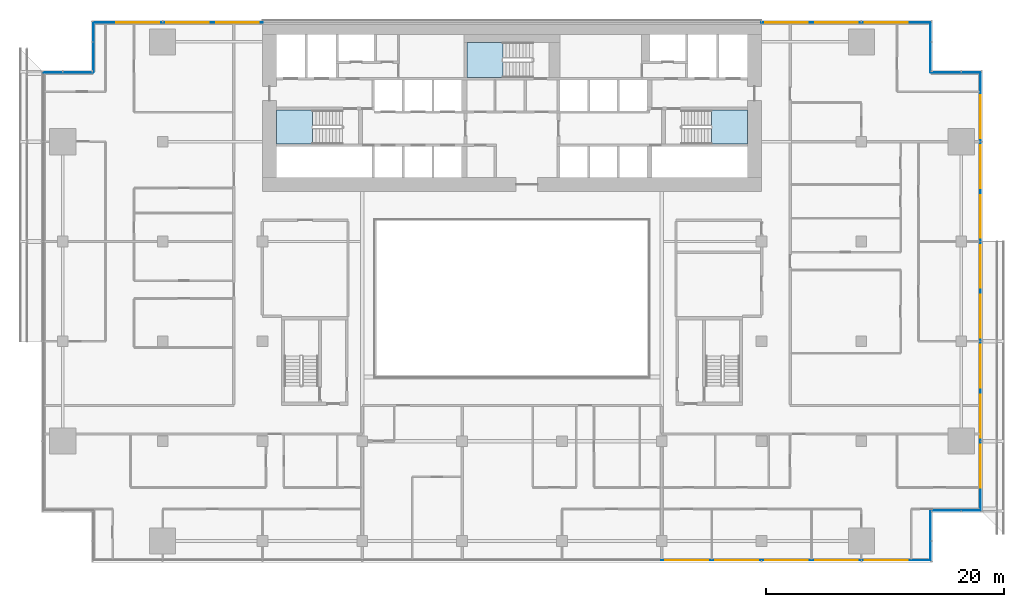
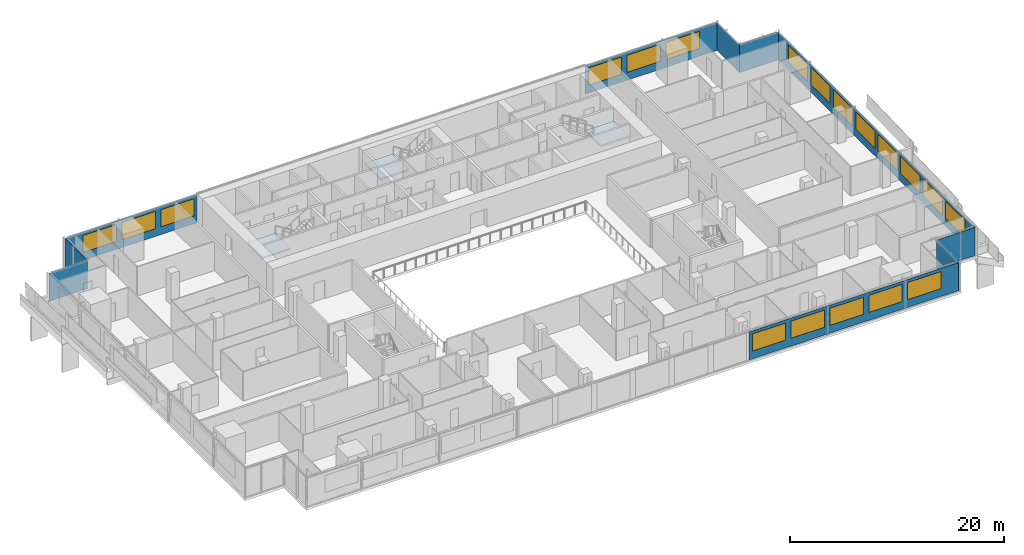
# One storey, part 15 of 25: 19 windows, 10 plates, 3 slabs, 19 openings, 12 elements without a shape of their own.
"""IFC4 building model written with IfcOpenShell, lengths in metres."""

import ifcopenshell
import ifcopenshell.guid

model = None  # the IFC model being written
_history = None  # IfcOwnerHistory: only IFC2X3 demands one
_inside = {}  # id of a spatial element -> (the spatial element, [elements in it])
_under = {}  # id of a project, library or spatial element -> (it, [spatial elements below it])
_declared = {}  # id of a project -> (the project, [libraries it declares])
_typed = {}  # id of a type object -> (the type object, [elements of that type])
_made_of = {}  # id of a material, layer set ... -> (it, [elements and type objects made of it])


def new_model(schema):
    """Start an empty IFC model of exactly this schema.

    Asked for "IFC4X3", IfcOpenShell would pick the latest addendum, in which some entities
    have other attributes; the version numbers below select the first issue.
    IFC2X3 requires an IfcOwnerHistory on every rooted entity: one is made here for all.
    """
    global model, _history
    if schema == "IFC4X3":
        model = ifcopenshell.file(schema_version=(4, 3, 0, 0))
    else:
        model = ifcopenshell.file(schema=schema)
    _inside.clear()
    _under.clear()
    _declared.clear()
    _typed.clear()
    _made_of.clear()
    _history = None
    if model.schema == "IFC2X3":
        org = make("IfcOrganization", Name="unknown")
        user = make(
            "IfcPersonAndOrganization",
            ThePerson=make("IfcPerson", FamilyName="unknown"),
            TheOrganization=org,
        )
        app = make(
            "IfcApplication",
            ApplicationDeveloper=org,
            Version="unknown",
            ApplicationFullName="unknown",
            ApplicationIdentifier="unknown",
        )
        _history = make(
            "IfcOwnerHistory",
            OwningUser=user,
            OwningApplication=app,
            ChangeAction="ADDED",
            CreationDate=0,
        )
    return model


def make(cls, **values):
    """One entity of the class cls with the attributes given. An attribute that is None is left unset."""
    return model.create_entity(
        cls, **{name: value for name, value in values.items() if value is not None}
    )


def rooted(cls, **values):
    """An entity with a GlobalId (a new one), such as an element, a storey or a relation."""
    return make(cls, GlobalId=ifcopenshell.guid.new(), OwnerHistory=_history, **values)


def si_unit(unit_type, name, prefix=None):
    """IfcSIUnit, for example si_unit("LENGTHUNIT", "METRE", prefix="MILLI")."""
    return make("IfcSIUnit", UnitType=unit_type, Prefix=prefix, Name=name)


def assignment(units):
    """IfcUnitAssignment: the units of a project."""
    return None if units is None else make("IfcUnitAssignment", Units=units)


def point(xyz):
    """IfcCartesianPoint."""
    return None if xyz is None else make("IfcCartesianPoint", Coordinates=xyz)


def direction(xyz):
    """IfcDirection."""
    return None if xyz is None else make("IfcDirection", DirectionRatios=xyz)


def frame(location, z_axis=None, x_axis=None):
    """IfcAxis2Placement3D, a coordinate frame: its origin and axes. An axis left out is left unset."""
    return make(
        "IfcAxis2Placement3D",
        Location=point(location),
        Axis=direction(z_axis),
        RefDirection=direction(x_axis),
    )


def frame_2d(location, x_axis=None):
    """IfcAxis2Placement2D, a coordinate frame in the plane: its origin and x axis."""
    return make(
        "IfcAxis2Placement2D", Location=point(location), RefDirection=direction(x_axis)
    )


def origin():
    """The frame at (0, 0, 0) with its axes left unset."""
    return frame((0.0, 0.0, 0.0))


def place(relative_to, where):
    """IfcLocalPlacement: puts the frame where relative to a parent placement (None: the world)."""
    return make(
        "IfcLocalPlacement", PlacementRelTo=relative_to, RelativePlacement=where
    )


def context(
    kind, dimensions, precision=None, world=None, true_north=None, identifier=None
):
    """IfcGeometricRepresentationContext, for example the 3D "Model" context."""
    return make(
        "IfcGeometricRepresentationContext",
        ContextIdentifier=identifier,
        ContextType=kind,
        CoordinateSpaceDimension=dimensions,
        Precision=precision,
        WorldCoordinateSystem=world,
        TrueNorth=true_north,
    )


def subcontext(parent, identifier, kind, view, scale=None):
    """IfcGeometricRepresentationSubContext, for example "Body" below "Model"."""
    return make(
        "IfcGeometricRepresentationSubContext",
        ContextIdentifier=identifier,
        ContextType=kind,
        ParentContext=parent,
        TargetScale=scale,
        TargetView=view,
    )


def project(units=None, contexts=None):
    """IfcProject with its units and contexts."""
    return rooted(
        "IfcProject",
        Name="project",
        RepresentationContexts=contexts,
        UnitsInContext=assignment(units),
    )


def spatial(cls, under=None, at=None, **own):
    """A site, building, storey or space (cls), placed at a placement, below another one or the project."""
    s = rooted(cls, ObjectPlacement=at, **own)
    if under is not None:
        _under.setdefault(under.id(), (under, []))[1].append(s)
    return s


def polyline(points):
    """IfcPolyline through the points."""
    return make("IfcPolyline", Points=[point(p) for p in points])


def profile(cls, at=None, kind="AREA", **sizes):
    """A parametric profile (cls). Its sizes go by their IFC names, for example OverallWidth=200.0."""
    return make(cls, ProfileType=kind, Position=at, **sizes)


def rectangle(**sizes):
    """IfcRectangleProfileDef."""
    return profile("IfcRectangleProfileDef", **sizes)


def outline(outer, holes=None, kind="AREA"):
    """IfcArbitraryClosedProfileDef: a profile drawn as a closed curve; with holes, ...WithVoids."""
    if holes is None:
        return make("IfcArbitraryClosedProfileDef", ProfileType=kind, OuterCurve=outer)
    return make(
        "IfcArbitraryProfileDefWithVoids",
        ProfileType=kind,
        OuterCurve=outer,
        InnerCurves=holes,
    )


def extrude(swept, where, along, depth):
    """IfcExtrudedAreaSolid: the profile swept, set in the frame where, extruded along a direction by depth."""
    return make(
        "IfcExtrudedAreaSolid",
        SweptArea=swept,
        Position=where,
        ExtrudedDirection=direction(along),
        Depth=depth,
    )


def shape(context_of_items, identifier, shape_type, items):
    """IfcShapeRepresentation: the items that make up one representation, for example the "Body"."""
    return make(
        "IfcShapeRepresentation",
        ContextOfItems=context_of_items,
        RepresentationIdentifier=identifier,
        RepresentationType=shape_type,
        Items=items,
    )


def material(Name=None, Category=None):
    """IfcMaterial."""
    return make("IfcMaterial", Name=Name, Category=Category)


def layer(
    of_material, thickness, ventilated=None, Name=None, Category=None, Priority=None
):
    """IfcMaterialLayer: one layer of a wall or slab, of a material (None: an air gap)."""
    return make(
        "IfcMaterialLayer",
        Material=of_material,
        LayerThickness=thickness,
        IsVentilated=ventilated,
        Name=Name,
        Category=Category,
        Priority=Priority,
    )


def layer_set(layers, Name=None):
    """IfcMaterialLayerSet."""
    return make("IfcMaterialLayerSet", MaterialLayers=layers, LayerSetName=Name)


def made_of(thing, what):
    """Note that an element or type object is made of a material, layer set ...; save() writes the relation."""
    if what is not None:
        _made_of.setdefault(what.id(), (what, []))[1].append(thing)
    return thing


def type_object(cls, material=None, **own):
    """A type object (cls), such as IfcWallType, which elements share."""
    return made_of(rooted(cls, **own), material)


def element(
    cls,
    number,
    at=None,
    inside=None,
    cuts=None,
    type_object=None,
    material=None,
    context=None,
    identifier="Body",
    shape_type=None,
    held_by="IfcProductDefinitionShape",
    body=None,
    shapes=None,
    **own,
):
    """One element of the class cls, such as IfcWall. Its Tag is "e" and its number.

    at: its placement. inside: the storey or other place that contains it. cuts: it is an
    opening in that element (IfcRelVoidsElement). A single representation is given by context,
    identifier, shape_type and body (its items); several are given by shapes. held_by: the class
    of the entity that holds the representations. save() writes the other relations.
    """
    e = rooted(cls, Tag="e%d" % number, ObjectPlacement=at, **own)
    if body is not None:
        shapes = [shape(context, identifier, shape_type, body)]
    if shapes is not None:
        e.Representation = make(held_by, Representations=shapes)
    if inside is not None:
        _inside.setdefault(inside.id(), (inside, []))[1].append(e)
    if cuts is not None:
        rooted(
            "IfcRelVoidsElement", RelatingBuildingElement=cuts, RelatedOpeningElement=e
        )
    if type_object is not None:
        _typed.setdefault(type_object.id(), (type_object, []))[1].append(e)
    return made_of(e, material)


def fill(opening, filler):
    """IfcRelFillsElement: the door or window that sits in an opening."""
    return rooted(
        "IfcRelFillsElement",
        RelatingOpeningElement=opening,
        RelatedBuildingElement=filler,
    )


def aggregate(whole, parts):
    """IfcRelAggregates: a whole, such as a stair, and the parts it consists of."""
    return rooted("IfcRelAggregates", RelatingObject=whole, RelatedObjects=parts)


def save(model, path):
    """Write the relations noted so far, then the file.

    IfcRelAggregates (storeys below a building ...), IfcRelContainedInSpatialStructure (elements
    in a storey), IfcRelDefinesByType, IfcRelAssociatesMaterial and IfcRelDeclares: one each for
    every whole, place, type object, material and project.
    """
    for whole, parts in _under.values():
        aggregate(whole, parts)
    for where, things in _inside.values():
        rooted(
            "IfcRelContainedInSpatialStructure",
            RelatedElements=things,
            RelatingStructure=where,
        )
    for kind, things in _typed.values():
        rooted("IfcRelDefinesByType", RelatedObjects=things, RelatingType=kind)
    for what, things in _made_of.values():
        rooted("IfcRelAssociatesMaterial", RelatedObjects=things, RelatingMaterial=what)
    for by, libraries in _declared.values():
        rooted("IfcRelDeclares", RelatingContext=by, RelatedDefinitions=libraries)
    model.write(path)


model = new_model("IFC4")

# Units and contexts
model_context = context("Model", 3, precision=1e-05, world=origin(), true_north=direction((0.0, 1.0)))
body_context = subcontext(model_context, "Body", "Model", "MODEL_VIEW")
ifc_project = project(units=[si_unit("LENGTHUNIT", "METRE"), si_unit("AREAUNIT", "SQUARE_METRE"), si_unit("VOLUMEUNIT", "CUBIC_METRE"), si_unit("PLANEANGLEUNIT", "RADIAN"), si_unit("MASSUNIT", "GRAM", prefix="KILO")], contexts=[model_context])

# Site, building, storey
site_placement = place(None, origin())
site = spatial("IfcSite", under=ifc_project, at=site_placement, CompositionType="ELEMENT")
building_placement = place(site_placement, origin())
building = spatial("IfcBuilding", under=site, at=building_placement, Name="Saffron Gate Tower", CompositionType="ELEMENT")
storey_placement = place(building_placement, frame((0.0, 0.0, 73.199951171875)))
storey = spatial("IfcBuildingStorey", under=building, at=storey_placement, Name="L17", CompositionType="ELEMENT", Elevation=73.199951171875)

# Curtain wall, plate, openings, windows
ifc_material_1 = material(Name="Aluminium, bronze anodised", Category="aluminium")
curtain_wall_type_1 = type_object("IfcCurtainWallType", Name="CWS1 curtain wall front facade", PredefinedType="NOTDEFINED", material=ifc_material_1)
curtain_wall_1_placement = place(storey_placement, origin())
curtain_wall_1 = element("IfcCurtainWall", 1, at=curtain_wall_1_placement, inside=storey, type_object=curtain_wall_type_1, Name="CWS1 run 1", PredefinedType="NOTDEFINED")
ifc_material_2 = material(Name="Fritted bronze-tinted laminated glass", Category="glass")
ifc_layer_1 = layer(ifc_material_2, 0.028076171875)
ifc_layer_set_1 = layer_set([ifc_layer_1], Name="CWS1 fixed glass")
plate_type_1 = type_object("IfcPlateType", Name="CWS1 fixed glass", PredefinedType="CURTAIN_PANEL", material=ifc_layer_set_1)
plate_1_placement = place(storey_placement, frame((100.169921875, 30.174072265625, 0.0), z_axis=(0.0, 0.0, 1.0), x_axis=(1.0, 0.0, 0.0)))
plate_1 = element("IfcPlate", 2, at=plate_1_placement, type_object=plate_type_1, Name="CWS1 glass panel", PredefinedType="CURTAIN_PANEL", context=body_context, shape_type="SweptSolid", body=[
    extrude(rectangle(XDim=22.64208984375, YDim=0.028076171875, at=frame_2d((11.321044921875, 0.0))), origin(), (0.0, 0.0, 1.0), 3.199951171875),
])
opening_1_placement = place(plate_1_placement, frame((0.330078125, 0.0, 0.89990234375)))
opening_1 = element("IfcOpeningElement", 3, at=opening_1_placement, cuts=plate_1, Name="Opening W1", PredefinedType="OPENING", context=body_context, shape_type="SweptSolid", body=[
    extrude(rectangle(XDim=3.60009765625, YDim=1.949951171875, at=frame_2d((1.800048828125, 0.97509765625))), frame((0.0, 0.02392578125, 0.0), z_axis=(0.0, -1.0, 0.0), x_axis=(1.0, 0.0, 0.0)), (0.0, 0.0, 1.0), 0.048095703125),
])
opening_2_placement = place(plate_1_placement, frame((4.530029296875, 0.0, 0.89990234375)))
opening_2 = element("IfcOpeningElement", 4, at=opening_2_placement, cuts=plate_1, Name="Opening W1", PredefinedType="OPENING", context=body_context, shape_type="SweptSolid", body=[
    extrude(rectangle(XDim=3.60009765625, YDim=1.949951171875, at=frame_2d((1.800048828125, 0.97509765625))), frame((0.0, 0.02392578125, 0.0), z_axis=(0.0, -1.0, 0.0), x_axis=(1.0, 0.0, 0.0)), (0.0, 0.0, 1.0), 0.048095703125),
])
opening_3_placement = place(plate_1_placement, frame((8.72998046875, 0.0, 0.89990234375)))
opening_3 = element("IfcOpeningElement", 5, at=opening_3_placement, cuts=plate_1, Name="Opening W1", PredefinedType="OPENING", context=body_context, shape_type="SweptSolid", body=[
    extrude(rectangle(XDim=3.60009765625, YDim=1.949951171875, at=frame_2d((1.800048828125, 0.97509765625))), frame((0.0, 0.02392578125, 0.0), z_axis=(0.0, -1.0, 0.0), x_axis=(1.0, 0.0, 0.0)), (0.0, 0.0, 1.0), 0.048095703125),
])
opening_4_placement = place(plate_1_placement, frame((12.929931640625, 0.0, 0.89990234375)))
opening_4 = element("IfcOpeningElement", 6, at=opening_4_placement, cuts=plate_1, Name="Opening W1", PredefinedType="OPENING", context=body_context, shape_type="SweptSolid", body=[
    extrude(rectangle(XDim=3.60009765625, YDim=1.949951171875, at=frame_2d((1.800048828125, 0.97509765625))), frame((0.0, 0.02392578125, 0.0), z_axis=(0.0, -1.0, 0.0), x_axis=(1.0, 0.0, 0.0)), (0.0, 0.0, 1.0), 0.048095703125),
])
opening_5_placement = place(plate_1_placement, frame((17.1298828125, 0.0, 0.89990234375)))
opening_5 = element("IfcOpeningElement", 7, at=opening_5_placement, cuts=plate_1, Name="Opening W1", PredefinedType="OPENING", context=body_context, shape_type="SweptSolid", body=[
    extrude(rectangle(XDim=3.60009765625, YDim=1.949951171875, at=frame_2d((1.800048828125, 0.97509765625))), frame((0.0, 0.02392578125, 0.0), z_axis=(0.0, -1.0, 0.0), x_axis=(1.0, 0.0, 0.0)), (0.0, 0.0, 1.0), 0.048095703125),
])
ifc_material_3 = material(Name="Fritted bronze-tinted laminated glass in bronze frame", Category="glass")
ifc_layer_2 = layer(ifc_material_3, 0.06005859375)
ifc_layer_set_2 = layer_set([ifc_layer_2], Name="W1 operable panel 3600x1950")
window_type = type_object("IfcWindowType", Name="W1 operable panel 3600x1950", PartitioningType="DOUBLE_PANEL_HORIZONTAL", PredefinedType="WINDOW", material=ifc_layer_set_2)
window_1_placement = place(opening_1_placement, origin())
window_1 = element("IfcWindow", 8, at=window_1_placement, type_object=window_type, Name="W1 operable panel", OverallHeight=1.949951171875, OverallWidth=3.60009765625, PartitioningType="SINGLE_PANEL", PredefinedType="WINDOW", context=body_context, shape_type="SweptSolid", body=[
    extrude(rectangle(XDim=3.60009765625, YDim=1.949951171875, at=frame_2d((1.800048828125, 0.97509765625))), frame((0.0, 0.013671875, 0.0), z_axis=(0.0, -1.0, 0.0), x_axis=(1.0, 0.0, 0.0)), (0.0, 0.0, 1.0), 0.027587890625),
])
fill(opening_1, window_1)
window_2_placement = place(opening_2_placement, origin())
window_2 = element("IfcWindow", 9, at=window_2_placement, type_object=window_type, Name="W1 operable panel", OverallHeight=1.949951171875, OverallWidth=3.60009765625, PartitioningType="SINGLE_PANEL", PredefinedType="WINDOW", context=body_context, shape_type="SweptSolid", body=[
    extrude(rectangle(XDim=3.60009765625, YDim=1.949951171875, at=frame_2d((1.800048828125, 0.97509765625))), frame((0.0, 0.013671875, 0.0), z_axis=(0.0, -1.0, 0.0), x_axis=(1.0, 0.0, 0.0)), (0.0, 0.0, 1.0), 0.027587890625),
])
fill(opening_2, window_2)
window_3_placement = place(opening_3_placement, origin())
window_3 = element("IfcWindow", 10, at=window_3_placement, type_object=window_type, Name="W1 operable panel", OverallHeight=1.949951171875, OverallWidth=3.60009765625, PartitioningType="SINGLE_PANEL", PredefinedType="WINDOW", context=body_context, shape_type="SweptSolid", body=[
    extrude(rectangle(XDim=3.60009765625, YDim=1.949951171875, at=frame_2d((1.800048828125, 0.97509765625))), frame((0.0, 0.013671875, 0.0), z_axis=(0.0, -1.0, 0.0), x_axis=(1.0, 0.0, 0.0)), (0.0, 0.0, 1.0), 0.027587890625),
])
fill(opening_3, window_3)
window_4_placement = place(opening_4_placement, origin())
window_4 = element("IfcWindow", 11, at=window_4_placement, type_object=window_type, Name="W1 operable panel", OverallHeight=1.949951171875, OverallWidth=3.60009765625, PartitioningType="SINGLE_PANEL", PredefinedType="WINDOW", context=body_context, shape_type="SweptSolid", body=[
    extrude(rectangle(XDim=3.60009765625, YDim=1.949951171875, at=frame_2d((1.800048828125, 0.97509765625))), frame((0.0, 0.013671875, 0.0), z_axis=(0.0, -1.0, 0.0), x_axis=(1.0, 0.0, 0.0)), (0.0, 0.0, 1.0), 0.027587890625),
])
fill(opening_4, window_4)
window_5_placement = place(opening_5_placement, origin())
window_5 = element("IfcWindow", 12, at=window_5_placement, type_object=window_type, Name="W1 operable panel", OverallHeight=1.949951171875, OverallWidth=3.60009765625, PartitioningType="SINGLE_PANEL", PredefinedType="WINDOW", context=body_context, shape_type="SweptSolid", body=[
    extrude(rectangle(XDim=3.60009765625, YDim=1.949951171875, at=frame_2d((1.800048828125, 0.97509765625))), frame((0.0, 0.013671875, 0.0), z_axis=(0.0, -1.0, 0.0), x_axis=(1.0, 0.0, 0.0)), (0.0, 0.0, 1.0), 0.027587890625),
])
fill(opening_5, window_5)
aggregate(curtain_wall_1, [plate_1, window_1, window_2, window_3, window_4, window_5])

curtain_wall_type_2 = type_object("IfcCurtainWallType", Name="CWS2 curtain wall side facades", PredefinedType="NOTDEFINED", material=ifc_material_1)
curtain_wall_2_placement = place(storey_placement, origin())
curtain_wall_2 = element("IfcCurtainWall", 13, at=curtain_wall_2_placement, inside=storey, type_object=curtain_wall_type_2, Name="CWS2 run 4", PredefinedType="NOTDEFINED")
ifc_layer_3 = layer(ifc_material_2, 0.028076171875)
ifc_layer_set_3 = layer_set([ifc_layer_3], Name="CWS2 fixed glass")
plate_type_2 = type_object("IfcPlateType", Name="CWS2 fixed glass", PredefinedType="CURTAIN_PANEL", material=ifc_layer_set_3)
plate_2_placement = place(storey_placement, frame((127.02587890625, 34.387939453125, 0.0), z_axis=(0.0, 0.0, 1.0), x_axis=(0.0, 1.0, 0.0)))
plate_2 = element("IfcPlate", 14, at=plate_2_placement, type_object=plate_type_2, Name="CWS2 glass panel", PredefinedType="CURTAIN_PANEL", context=body_context, shape_type="SweptSolid", body=[
    extrude(rectangle(XDim=36.823974609375, YDim=0.028076171875, at=frame_2d((18.412109375, 0.0))), origin(), (0.0, 0.0, 1.0), 3.199951171875),
])
opening_6_placement = place(plate_2_placement, frame((1.912109375, 0.0, 0.89990234375)))
opening_6 = element("IfcOpeningElement", 15, at=opening_6_placement, cuts=plate_2, Name="Opening W1", PredefinedType="OPENING", context=body_context, shape_type="SweptSolid", body=[
    extrude(rectangle(XDim=3.60009765625, YDim=1.949951171875, at=frame_2d((1.800048828125, 0.97509765625))), frame((0.0, 0.02392578125, 0.0), z_axis=(0.0, -1.0, 0.0), x_axis=(1.0, 0.0, 0.0)), (0.0, 0.0, 1.0), 0.048095703125),
])
opening_7_placement = place(plate_2_placement, frame((6.112060546875, 0.0, 0.89990234375)))
opening_7 = element("IfcOpeningElement", 16, at=opening_7_placement, cuts=plate_2, Name="Opening W1", PredefinedType="OPENING", context=body_context, shape_type="SweptSolid", body=[
    extrude(rectangle(XDim=3.60009765625, YDim=1.949951171875, at=frame_2d((1.800048828125, 0.97509765625))), frame((0.0, 0.02392578125, 0.0), z_axis=(0.0, -1.0, 0.0), x_axis=(1.0, 0.0, 0.0)), (0.0, 0.0, 1.0), 0.048095703125),
])
opening_8_placement = place(plate_2_placement, frame((10.31201171875, 0.0, 0.89990234375)))
opening_8 = element("IfcOpeningElement", 17, at=opening_8_placement, cuts=plate_2, Name="Opening W1", PredefinedType="OPENING", context=body_context, shape_type="SweptSolid", body=[
    extrude(rectangle(XDim=3.60009765625, YDim=1.949951171875, at=frame_2d((1.800048828125, 0.97509765625))), frame((0.0, 0.02392578125, 0.0), z_axis=(0.0, -1.0, 0.0), x_axis=(1.0, 0.0, 0.0)), (0.0, 0.0, 1.0), 0.048095703125),
])
opening_9_placement = place(plate_2_placement, frame((14.511962890625, 0.0, 0.89990234375)))
opening_9 = element("IfcOpeningElement", 18, at=opening_9_placement, cuts=plate_2, Name="Opening W1", PredefinedType="OPENING", context=body_context, shape_type="SweptSolid", body=[
    extrude(rectangle(XDim=3.60009765625, YDim=1.949951171875, at=frame_2d((1.800048828125, 0.97509765625))), frame((0.0, 0.02392578125, 0.0), z_axis=(0.0, -1.0, 0.0), x_axis=(1.0, 0.0, 0.0)), (0.0, 0.0, 1.0), 0.048095703125),
])
opening_10_placement = place(plate_2_placement, frame((18.7119140625, 0.0, 0.89990234375)))
opening_10 = element("IfcOpeningElement", 19, at=opening_10_placement, cuts=plate_2, Name="Opening W1", PredefinedType="OPENING", context=body_context, shape_type="SweptSolid", body=[
    extrude(rectangle(XDim=3.60009765625, YDim=1.949951171875, at=frame_2d((1.800048828125, 0.97509765625))), frame((0.0, 0.02392578125, 0.0), z_axis=(0.0, -1.0, 0.0), x_axis=(1.0, 0.0, 0.0)), (0.0, 0.0, 1.0), 0.048095703125),
])
opening_11_placement = place(plate_2_placement, frame((22.912109375, 0.0, 0.89990234375)))
opening_11 = element("IfcOpeningElement", 20, at=opening_11_placement, cuts=plate_2, Name="Opening W1", PredefinedType="OPENING", context=body_context, shape_type="SweptSolid", body=[
    extrude(rectangle(XDim=3.60009765625, YDim=1.949951171875, at=frame_2d((1.800048828125, 0.97509765625))), frame((0.0, 0.02392578125, 0.0), z_axis=(0.0, -1.0, 0.0), x_axis=(1.0, 0.0, 0.0)), (0.0, 0.0, 1.0), 0.048095703125),
])
opening_12_placement = place(plate_2_placement, frame((27.112060546875, 0.0, 0.89990234375)))
opening_12 = element("IfcOpeningElement", 21, at=opening_12_placement, cuts=plate_2, Name="Opening W1", PredefinedType="OPENING", context=body_context, shape_type="SweptSolid", body=[
    extrude(rectangle(XDim=3.60009765625, YDim=1.949951171875, at=frame_2d((1.800048828125, 0.97509765625))), frame((0.0, 0.02392578125, 0.0), z_axis=(0.0, -1.0, 0.0), x_axis=(1.0, 0.0, 0.0)), (0.0, 0.0, 1.0), 0.048095703125),
])
opening_13_placement = place(plate_2_placement, frame((31.31201171875, 0.0, 0.89990234375)))
opening_13 = element("IfcOpeningElement", 22, at=opening_13_placement, cuts=plate_2, Name="Opening W1", PredefinedType="OPENING", context=body_context, shape_type="SweptSolid", body=[
    extrude(rectangle(XDim=3.60009765625, YDim=1.949951171875, at=frame_2d((1.800048828125, 0.97509765625))), frame((0.0, 0.02392578125, 0.0), z_axis=(0.0, -1.0, 0.0), x_axis=(1.0, 0.0, 0.0)), (0.0, 0.0, 1.0), 0.048095703125),
])
window_6_placement = place(opening_6_placement, origin())
window_6 = element("IfcWindow", 23, at=window_6_placement, type_object=window_type, Name="W1 operable panel", OverallHeight=1.949951171875, OverallWidth=3.60009765625, PartitioningType="SINGLE_PANEL", PredefinedType="WINDOW", context=body_context, shape_type="SweptSolid", body=[
    extrude(rectangle(XDim=3.60009765625, YDim=1.949951171875, at=frame_2d((1.800048828125, 0.97509765625))), frame((0.0, 0.013671875, 0.0), z_axis=(0.0, -1.0, 0.0), x_axis=(1.0, 0.0, 0.0)), (0.0, 0.0, 1.0), 0.027587890625),
])
fill(opening_6, window_6)
window_7_placement = place(opening_7_placement, origin())
window_7 = element("IfcWindow", 24, at=window_7_placement, type_object=window_type, Name="W1 operable panel", OverallHeight=1.949951171875, OverallWidth=3.60009765625, PartitioningType="SINGLE_PANEL", PredefinedType="WINDOW", context=body_context, shape_type="SweptSolid", body=[
    extrude(rectangle(XDim=3.60009765625, YDim=1.949951171875, at=frame_2d((1.800048828125, 0.97509765625))), frame((0.0, 0.013671875, 0.0), z_axis=(0.0, -1.0, 0.0), x_axis=(1.0, 0.0, 0.0)), (0.0, 0.0, 1.0), 0.027587890625),
])
fill(opening_7, window_7)
window_8_placement = place(opening_8_placement, origin())
window_8 = element("IfcWindow", 25, at=window_8_placement, type_object=window_type, Name="W1 operable panel", OverallHeight=1.949951171875, OverallWidth=3.60009765625, PartitioningType="SINGLE_PANEL", PredefinedType="WINDOW", context=body_context, shape_type="SweptSolid", body=[
    extrude(rectangle(XDim=3.60009765625, YDim=1.949951171875, at=frame_2d((1.800048828125, 0.97509765625))), frame((0.0, 0.013671875, 0.0), z_axis=(0.0, -1.0, 0.0), x_axis=(1.0, 0.0, 0.0)), (0.0, 0.0, 1.0), 0.027587890625),
])
fill(opening_8, window_8)
window_9_placement = place(opening_9_placement, origin())
window_9 = element("IfcWindow", 26, at=window_9_placement, type_object=window_type, Name="W1 operable panel", OverallHeight=1.949951171875, OverallWidth=3.60009765625, PartitioningType="SINGLE_PANEL", PredefinedType="WINDOW", context=body_context, shape_type="SweptSolid", body=[
    extrude(rectangle(XDim=3.60009765625, YDim=1.949951171875, at=frame_2d((1.800048828125, 0.97509765625))), frame((0.0, 0.013671875, 0.0), z_axis=(0.0, -1.0, 0.0), x_axis=(1.0, 0.0, 0.0)), (0.0, 0.0, 1.0), 0.027587890625),
])
fill(opening_9, window_9)
window_10_placement = place(opening_10_placement, origin())
window_10 = element("IfcWindow", 27, at=window_10_placement, type_object=window_type, Name="W1 operable panel", OverallHeight=1.949951171875, OverallWidth=3.60009765625, PartitioningType="SINGLE_PANEL", PredefinedType="WINDOW", context=body_context, shape_type="SweptSolid", body=[
    extrude(rectangle(XDim=3.60009765625, YDim=1.949951171875, at=frame_2d((1.800048828125, 0.97509765625))), frame((0.0, 0.013671875, 0.0), z_axis=(0.0, -1.0, 0.0), x_axis=(1.0, 0.0, 0.0)), (0.0, 0.0, 1.0), 0.027587890625),
])
fill(opening_10, window_10)
window_11_placement = place(opening_11_placement, origin())
window_11 = element("IfcWindow", 28, at=window_11_placement, type_object=window_type, Name="W1 operable panel", OverallHeight=1.949951171875, OverallWidth=3.60009765625, PartitioningType="SINGLE_PANEL", PredefinedType="WINDOW", context=body_context, shape_type="SweptSolid", body=[
    extrude(rectangle(XDim=3.60009765625, YDim=1.949951171875, at=frame_2d((1.800048828125, 0.97509765625))), frame((0.0, 0.013671875, 0.0), z_axis=(0.0, -1.0, 0.0), x_axis=(1.0, 0.0, 0.0)), (0.0, 0.0, 1.0), 0.027587890625),
])
fill(opening_11, window_11)
window_12_placement = place(opening_12_placement, origin())
window_12 = element("IfcWindow", 29, at=window_12_placement, type_object=window_type, Name="W1 operable panel", OverallHeight=1.949951171875, OverallWidth=3.60009765625, PartitioningType="SINGLE_PANEL", PredefinedType="WINDOW", context=body_context, shape_type="SweptSolid", body=[
    extrude(rectangle(XDim=3.60009765625, YDim=1.949951171875, at=frame_2d((1.800048828125, 0.97509765625))), frame((0.0, 0.013671875, 0.0), z_axis=(0.0, -1.0, 0.0), x_axis=(1.0, 0.0, 0.0)), (0.0, 0.0, 1.0), 0.027587890625),
])
fill(opening_12, window_12)
window_13_placement = place(opening_13_placement, origin())
window_13 = element("IfcWindow", 30, at=window_13_placement, type_object=window_type, Name="W1 operable panel", OverallHeight=1.949951171875, OverallWidth=3.60009765625, PartitioningType="SINGLE_PANEL", PredefinedType="WINDOW", context=body_context, shape_type="SweptSolid", body=[
    extrude(rectangle(XDim=3.60009765625, YDim=1.949951171875, at=frame_2d((1.800048828125, 0.97509765625))), frame((0.0, 0.013671875, 0.0), z_axis=(0.0, -1.0, 0.0), x_axis=(1.0, 0.0, 0.0)), (0.0, 0.0, 1.0), 0.027587890625),
])
fill(opening_13, window_13)
aggregate(curtain_wall_2, [plate_2, window_6, window_7, window_8, window_9, window_10, window_11, window_12, window_13])

# Curtain wall, plates, openings, windows
curtain_wall_type_3 = type_object("IfcCurtainWallType", Name="CWS3 curtain wall rear facade", PredefinedType="NOTDEFINED", material=ifc_material_1)
curtain_wall_3_placement = place(storey_placement, origin())
curtain_wall_3 = element("IfcCurtainWall", 31, at=curtain_wall_3_placement, inside=storey, type_object=curtain_wall_type_3, Name="CWS3 run 7", PredefinedType="NOTDEFINED")
ifc_material_4 = material(Name="Fritted grey-tinted laminated glass", Category="glass")
ifc_layer_4 = layer(ifc_material_4, 0.028076171875)
ifc_layer_set_4 = layer_set([ifc_layer_4], Name="CWS3 fixed glass")
plate_type_3 = type_object("IfcPlateType", Name="CWS3 fixed glass", PredefinedType="CURTAIN_PANEL", material=ifc_layer_set_4)
plate_3_placement = place(storey_placement, frame((122.81201171875, 75.426025390625, 0.0), z_axis=(0.0, 0.0, 1.0), x_axis=(-1.0, 0.0, 0.0)))
plate_3 = element("IfcPlate", 32, at=plate_3_placement, type_object=plate_type_3, Name="CWS3 glass panel", PredefinedType="CURTAIN_PANEL", context=body_context, shape_type="SweptSolid", body=[
    extrude(rectangle(XDim=14.2470703125, YDim=0.028076171875, at=frame_2d((7.12353515625, 0.0))), origin(), (0.0, 0.0, 1.0), 3.199951171875),
])
opening_14_placement = place(plate_3_placement, frame((1.912109375, 0.0, 0.89990234375)))
opening_14 = element("IfcOpeningElement", 33, at=opening_14_placement, cuts=plate_3, Name="Opening W1", PredefinedType="OPENING", context=body_context, shape_type="SweptSolid", body=[
    extrude(rectangle(XDim=3.60009765625, YDim=1.949951171875, at=frame_2d((1.800048828125, 0.97509765625))), frame((0.0, 0.02392578125, 0.0), z_axis=(0.0, -1.0, 0.0), x_axis=(1.0, 0.0, 0.0)), (0.0, 0.0, 1.0), 0.048095703125),
])
opening_15_placement = place(plate_3_placement, frame((6.112060546875, 0.0, 0.89990234375)))
opening_15 = element("IfcOpeningElement", 34, at=opening_15_placement, cuts=plate_3, Name="Opening W1", PredefinedType="OPENING", context=body_context, shape_type="SweptSolid", body=[
    extrude(rectangle(XDim=3.60009765625, YDim=1.949951171875, at=frame_2d((1.800048828125, 0.97509765625))), frame((0.0, 0.02392578125, 0.0), z_axis=(0.0, -1.0, 0.0), x_axis=(1.0, 0.0, 0.0)), (0.0, 0.0, 1.0), 0.048095703125),
])
opening_16_placement = place(plate_3_placement, frame((10.31201171875, 0.0, 0.89990234375)))
opening_16 = element("IfcOpeningElement", 35, at=opening_16_placement, cuts=plate_3, Name="Opening W1", PredefinedType="OPENING", context=body_context, shape_type="SweptSolid", body=[
    extrude(rectangle(XDim=3.60009765625, YDim=1.949951171875, at=frame_2d((1.800048828125, 0.97509765625))), frame((0.0, 0.02392578125, 0.0), z_axis=(0.0, -1.0, 0.0), x_axis=(1.0, 0.0, 0.0)), (0.0, 0.0, 1.0), 0.048095703125),
])
window_14_placement = place(opening_14_placement, origin())
window_14 = element("IfcWindow", 36, at=window_14_placement, type_object=window_type, Name="W1 operable panel", OverallHeight=1.949951171875, OverallWidth=3.60009765625, PartitioningType="SINGLE_PANEL", PredefinedType="WINDOW", context=body_context, shape_type="SweptSolid", body=[
    extrude(rectangle(XDim=3.60009765625, YDim=1.949951171875, at=frame_2d((1.800048828125, 0.97509765625))), frame((0.0, 0.013671875, 0.0), z_axis=(0.0, -1.0, 0.0), x_axis=(1.0, 0.0, 0.0)), (0.0, 0.0, 1.0), 0.027587890625),
])
fill(opening_14, window_14)
window_15_placement = place(opening_15_placement, origin())
window_15 = element("IfcWindow", 37, at=window_15_placement, type_object=window_type, Name="W1 operable panel", OverallHeight=1.949951171875, OverallWidth=3.60009765625, PartitioningType="SINGLE_PANEL", PredefinedType="WINDOW", context=body_context, shape_type="SweptSolid", body=[
    extrude(rectangle(XDim=3.60009765625, YDim=1.949951171875, at=frame_2d((1.800048828125, 0.97509765625))), frame((0.0, 0.013671875, 0.0), z_axis=(0.0, -1.0, 0.0), x_axis=(1.0, 0.0, 0.0)), (0.0, 0.0, 1.0), 0.027587890625),
])
fill(opening_15, window_15)
window_16_placement = place(opening_16_placement, origin())
window_16 = element("IfcWindow", 38, at=window_16_placement, type_object=window_type, Name="W1 operable panel", OverallHeight=1.949951171875, OverallWidth=3.60009765625, PartitioningType="SINGLE_PANEL", PredefinedType="WINDOW", context=body_context, shape_type="SweptSolid", body=[
    extrude(rectangle(XDim=3.60009765625, YDim=1.949951171875, at=frame_2d((1.800048828125, 0.97509765625))), frame((0.0, 0.013671875, 0.0), z_axis=(0.0, -1.0, 0.0), x_axis=(1.0, 0.0, 0.0)), (0.0, 0.0, 1.0), 0.027587890625),
])
fill(opening_16, window_16)
plate_4_placement = place(storey_placement, frame((66.635009765625, 75.426025390625, 0.0), z_axis=(0.0, 0.0, 1.0), x_axis=(-1.0, 0.0, 0.0)))
plate_4 = element("IfcPlate", 39, at=plate_4_placement, type_object=plate_type_3, Name="CWS3 glass panel", PredefinedType="CURTAIN_PANEL", context=body_context, shape_type="SweptSolid", body=[
    extrude(rectangle(XDim=14.2470703125, YDim=0.028076171875, at=frame_2d((7.12353515625, 0.0))), origin(), (0.0, 0.0, 1.0), 3.199951171875),
])
opening_17_placement = place(plate_4_placement, frame((0.3349609375, 0.0, 0.89990234375)))
opening_17 = element("IfcOpeningElement", 40, at=opening_17_placement, cuts=plate_4, Name="Opening W1", PredefinedType="OPENING", context=body_context, shape_type="SweptSolid", body=[
    extrude(rectangle(XDim=3.60009765625, YDim=1.949951171875, at=frame_2d((1.800048828125, 0.97509765625))), frame((0.0, 0.02392578125, 0.0), z_axis=(0.0, -1.0, 0.0), x_axis=(1.0, 0.0, 0.0)), (0.0, 0.0, 1.0), 0.048095703125),
])
opening_18_placement = place(plate_4_placement, frame((4.534912109375, 0.0, 0.89990234375)))
opening_18 = element("IfcOpeningElement", 41, at=opening_18_placement, cuts=plate_4, Name="Opening W1", PredefinedType="OPENING", context=body_context, shape_type="SweptSolid", body=[
    extrude(rectangle(XDim=3.60009765625, YDim=1.949951171875, at=frame_2d((1.800048828125, 0.97509765625))), frame((0.0, 0.02392578125, 0.0), z_axis=(0.0, -1.0, 0.0), x_axis=(1.0, 0.0, 0.0)), (0.0, 0.0, 1.0), 0.048095703125),
])
opening_19_placement = place(plate_4_placement, frame((8.735107421875, 0.0, 0.89990234375)))
opening_19 = element("IfcOpeningElement", 42, at=opening_19_placement, cuts=plate_4, Name="Opening W1", PredefinedType="OPENING", context=body_context, shape_type="SweptSolid", body=[
    extrude(rectangle(XDim=3.60009765625, YDim=1.949951171875, at=frame_2d((1.800048828125, 0.97509765625))), frame((0.0, 0.02392578125, 0.0), z_axis=(0.0, -1.0, 0.0), x_axis=(1.0, 0.0, 0.0)), (0.0, 0.0, 1.0), 0.048095703125),
])
window_17_placement = place(opening_17_placement, origin())
window_17 = element("IfcWindow", 43, at=window_17_placement, type_object=window_type, Name="W1 operable panel", OverallHeight=1.949951171875, OverallWidth=3.60009765625, PartitioningType="SINGLE_PANEL", PredefinedType="WINDOW", context=body_context, shape_type="SweptSolid", body=[
    extrude(rectangle(XDim=3.60009765625, YDim=1.949951171875, at=frame_2d((1.800048828125, 0.97509765625))), frame((0.0, 0.013671875, 0.0), z_axis=(0.0, -1.0, 0.0), x_axis=(1.0, 0.0, 0.0)), (0.0, 0.0, 1.0), 0.027587890625),
])
fill(opening_17, window_17)
window_18_placement = place(opening_18_placement, origin())
window_18 = element("IfcWindow", 44, at=window_18_placement, type_object=window_type, Name="W1 operable panel", OverallHeight=1.949951171875, OverallWidth=3.60009765625, PartitioningType="SINGLE_PANEL", PredefinedType="WINDOW", context=body_context, shape_type="SweptSolid", body=[
    extrude(rectangle(XDim=3.60009765625, YDim=1.949951171875, at=frame_2d((1.800048828125, 0.97509765625))), frame((0.0, 0.013671875, 0.0), z_axis=(0.0, -1.0, 0.0), x_axis=(1.0, 0.0, 0.0)), (0.0, 0.0, 1.0), 0.027587890625),
])
fill(opening_18, window_18)
window_19_placement = place(opening_19_placement, origin())
window_19 = element("IfcWindow", 45, at=window_19_placement, type_object=window_type, Name="W1 operable panel", OverallHeight=1.949951171875, OverallWidth=3.60009765625, PartitioningType="SINGLE_PANEL", PredefinedType="WINDOW", context=body_context, shape_type="SweptSolid", body=[
    extrude(rectangle(XDim=3.60009765625, YDim=1.949951171875, at=frame_2d((1.800048828125, 0.97509765625))), frame((0.0, 0.013671875, 0.0), z_axis=(0.0, -1.0, 0.0), x_axis=(1.0, 0.0, 0.0)), (0.0, 0.0, 1.0), 0.027587890625),
])
fill(opening_19, window_19)
aggregate(curtain_wall_3, [plate_3, plate_4, window_14, window_15, window_16, window_17, window_18, window_19])

# Curtain wall, plate
curtain_wall_type_4 = type_object("IfcCurtainWallType", Name="CWS4 curtain wall corner returns", PredefinedType="NOTDEFINED", material=ifc_material_1)
curtain_wall_4_placement = place(storey_placement, origin())
curtain_wall_4 = element("IfcCurtainWall", 46, at=curtain_wall_4_placement, inside=storey, type_object=curtain_wall_type_4, Name="CWS4 run 2", PredefinedType="NOTDEFINED")
ifc_layer_5 = layer(ifc_material_2, 0.028076171875)
ifc_layer_set_5 = layer_set([ifc_layer_5], Name="CWS4 fixed glass")
plate_type_4 = type_object("IfcPlateType", Name="CWS4 fixed glass", PredefinedType="CURTAIN_PANEL", material=ifc_layer_set_5)
plate_5_placement = place(storey_placement, frame((122.825927734375, 30.18798828125, 0.0), z_axis=(0.0, 0.0, 1.0), x_axis=(0.0, 1.0, 0.0)))
plate_5 = element("IfcPlate", 47, at=plate_5_placement, type_object=plate_type_4, Name="CWS4 glass panel", PredefinedType="CURTAIN_PANEL", context=body_context, shape_type="SweptSolid", body=[
    extrude(rectangle(XDim=4.172119140625, YDim=0.028076171875, at=frame_2d((2.0859375, 0.0))), origin(), (0.0, 0.0, 1.0), 3.199951171875),
])
aggregate(curtain_wall_4, [plate_5])

curtain_wall_5_placement = place(storey_placement, origin())
curtain_wall_5 = element("IfcCurtainWall", 48, at=curtain_wall_5_placement, inside=storey, type_object=curtain_wall_type_4, Name="CWS4 run 3", PredefinedType="NOTDEFINED")
plate_6_placement = place(storey_placement, frame((122.840087890625, 34.3740234375, 0.0), z_axis=(0.0, 0.0, 1.0), x_axis=(1.0, 0.0, 0.0)))
plate_6 = element("IfcPlate", 49, at=plate_6_placement, type_object=plate_type_4, Name="CWS4 glass panel", PredefinedType="CURTAIN_PANEL", context=body_context, shape_type="SweptSolid", body=[
    extrude(rectangle(XDim=4.171875, YDim=0.028076171875, at=frame_2d((2.0859375, 0.0))), origin(), (0.0, 0.0, 1.0), 3.199951171875),
])
aggregate(curtain_wall_5, [plate_6])

curtain_wall_6_placement = place(storey_placement, origin())
curtain_wall_6 = element("IfcCurtainWall", 50, at=curtain_wall_6_placement, inside=storey, type_object=curtain_wall_type_4, Name="CWS4 run 5", PredefinedType="NOTDEFINED")
plate_7_placement = place(storey_placement, frame((127.011962890625, 71.22607421875, 0.0), z_axis=(0.0, 0.0, 1.0), x_axis=(-1.0, 0.0, 0.0)))
plate_7 = element("IfcPlate", 51, at=plate_7_placement, type_object=plate_type_4, Name="CWS4 glass panel", PredefinedType="CURTAIN_PANEL", context=body_context, shape_type="SweptSolid", body=[
    extrude(rectangle(XDim=4.171875, YDim=0.028076171875, at=frame_2d((2.0859375, 0.0))), origin(), (0.0, 0.0, 1.0), 3.199951171875),
])
aggregate(curtain_wall_6, [plate_7])

curtain_wall_7_placement = place(storey_placement, origin())
curtain_wall_7 = element("IfcCurtainWall", 52, at=curtain_wall_7_placement, inside=storey, type_object=curtain_wall_type_4, Name="CWS4 run 6", PredefinedType="NOTDEFINED")
plate_8_placement = place(storey_placement, frame((122.825927734375, 71.239990234375, 0.0), z_axis=(0.0, 0.0, 1.0), x_axis=(0.0, 1.0, 0.0)))
plate_8 = element("IfcPlate", 53, at=plate_8_placement, type_object=plate_type_4, Name="CWS4 glass panel", PredefinedType="CURTAIN_PANEL", context=body_context, shape_type="SweptSolid", body=[
    extrude(rectangle(XDim=4.172119140625, YDim=0.028076171875, at=frame_2d((2.0859375, 0.0))), origin(), (0.0, 0.0, 1.0), 3.199951171875),
])
aggregate(curtain_wall_7, [plate_8])

curtain_wall_8_placement = place(storey_placement, origin())
curtain_wall_8 = element("IfcCurtainWall", 54, at=curtain_wall_8_placement, inside=storey, type_object=curtain_wall_type_4, Name="CWS4 run 8", PredefinedType="NOTDEFINED")
plate_9_placement = place(storey_placement, frame((52.3740234375, 75.412109375, 0.0), z_axis=(0.0, 0.0, 1.0), x_axis=(0.0, -1.0, 0.0)))
plate_9 = element("IfcPlate", 55, at=plate_9_placement, type_object=plate_type_4, Name="CWS4 glass panel", PredefinedType="CURTAIN_PANEL", context=body_context, shape_type="SweptSolid", body=[
    extrude(rectangle(XDim=4.172119140625, YDim=0.028076171875, at=frame_2d((2.0859375, 0.0))), origin(), (0.0, 0.0, 1.0), 3.199951171875),
])
aggregate(curtain_wall_8, [plate_9])

curtain_wall_9_placement = place(storey_placement, origin())
curtain_wall_9 = element("IfcCurtainWall", 56, at=curtain_wall_9_placement, inside=storey, type_object=curtain_wall_type_4, Name="CWS4 run 9", PredefinedType="NOTDEFINED")
plate_10_placement = place(storey_placement, frame((52.360107421875, 71.22607421875, 0.0), z_axis=(0.0, 0.0, 1.0), x_axis=(-1.0, 0.0, 0.0)))
plate_10 = element("IfcPlate", 57, at=plate_10_placement, type_object=plate_type_4, Name="CWS4 glass panel", PredefinedType="CURTAIN_PANEL", context=body_context, shape_type="SweptSolid", body=[
    extrude(rectangle(XDim=4.172119140625, YDim=0.028076171875, at=frame_2d((2.0859375, 0.0))), origin(), (0.0, 0.0, 1.0), 3.199951171875),
])
aggregate(curtain_wall_9, [plate_10])

# Stair, slab
ifc_material_5 = material(Name="Concrete C40", Category="concrete")
stair_type = type_object("IfcStairType", Name="ST7 Stair 1350 wide, 20 risers of 180", PredefinedType="HALF_TURN_STAIR", material=ifc_material_5)
stair_1_placement = place(storey_placement, origin())
stair_1 = element("IfcStair", 58, at=stair_1_placement, inside=storey, type_object=stair_type, Name="L17 Exit stair A", PredefinedType="HALF_TURN_STAIR")
ifc_layer_6 = layer(ifc_material_5, 0.199951171875)
ifc_layer_set_6 = layer_set([ifc_layer_6], Name="SL1 Stair landing 200")
slab_type = type_object("IfcSlabType", Name="SL1 Stair landing 200", PredefinedType="LANDING", material=ifc_layer_set_6)
slab_1_placement = place(storey_placement, frame((0.0, 0.0, 1.60009765625)))
slab_1 = element("IfcSlab", 59, at=slab_1_placement, type_object=slab_type, Name="ST-A landing 1", PredefinedType="LANDING", context=body_context, shape_type="SweptSolid", body=[
    extrude(outline(polyline([(70.830078125, 68.050048828125), (67.800048828125, 68.050048828125), (67.800048828125, 65.199951171875), (70.830078125, 65.199951171875), (70.830078125, 68.050048828125)])), origin(), (0.0, 0.0, 1.0), 0.199951171875),
])
aggregate(stair_1, [slab_1])

stair_2_placement = place(storey_placement, origin())
stair_2 = element("IfcStair", 60, at=stair_2_placement, inside=storey, type_object=stair_type, Name="L17 Exit stair B", PredefinedType="HALF_TURN_STAIR")
slab_2_placement = place(storey_placement, frame((0.0, 0.0, 1.60009765625)))
slab_2 = element("IfcSlab", 61, at=slab_2_placement, type_object=slab_type, Name="ST-B landing 1", PredefinedType="LANDING", context=body_context, shape_type="SweptSolid", body=[
    extrude(outline(polyline([(104.3701171875, 65.199951171875), (107.39990234375, 65.199951171875), (107.39990234375, 68.050048828125), (104.3701171875, 68.050048828125), (104.3701171875, 65.199951171875)])), origin(), (0.0, 0.0, 1.0), 0.199951171875),
])
aggregate(stair_2, [slab_2])

stair_3_placement = place(storey_placement, origin())
stair_3 = element("IfcStair", 62, at=stair_3_placement, inside=storey, type_object=stair_type, Name="L17 Exit stair C", PredefinedType="HALF_TURN_STAIR")
slab_3_placement = place(storey_placement, frame((0.0, 0.0, 1.60009765625)))
slab_3 = element("IfcSlab", 63, at=slab_3_placement, type_object=slab_type, Name="ST-C landing 1", PredefinedType="LANDING", context=body_context, shape_type="SweptSolid", body=[
    extrude(outline(polyline([(86.830078125, 73.75), (83.800048828125, 73.75), (83.800048828125, 70.800048828125), (86.830078125, 70.800048828125), (86.830078125, 73.75)])), origin(), (0.0, 0.0, 1.0), 0.199951171875),
])
aggregate(stair_3, [slab_3])

save(model, "model.ifc")
